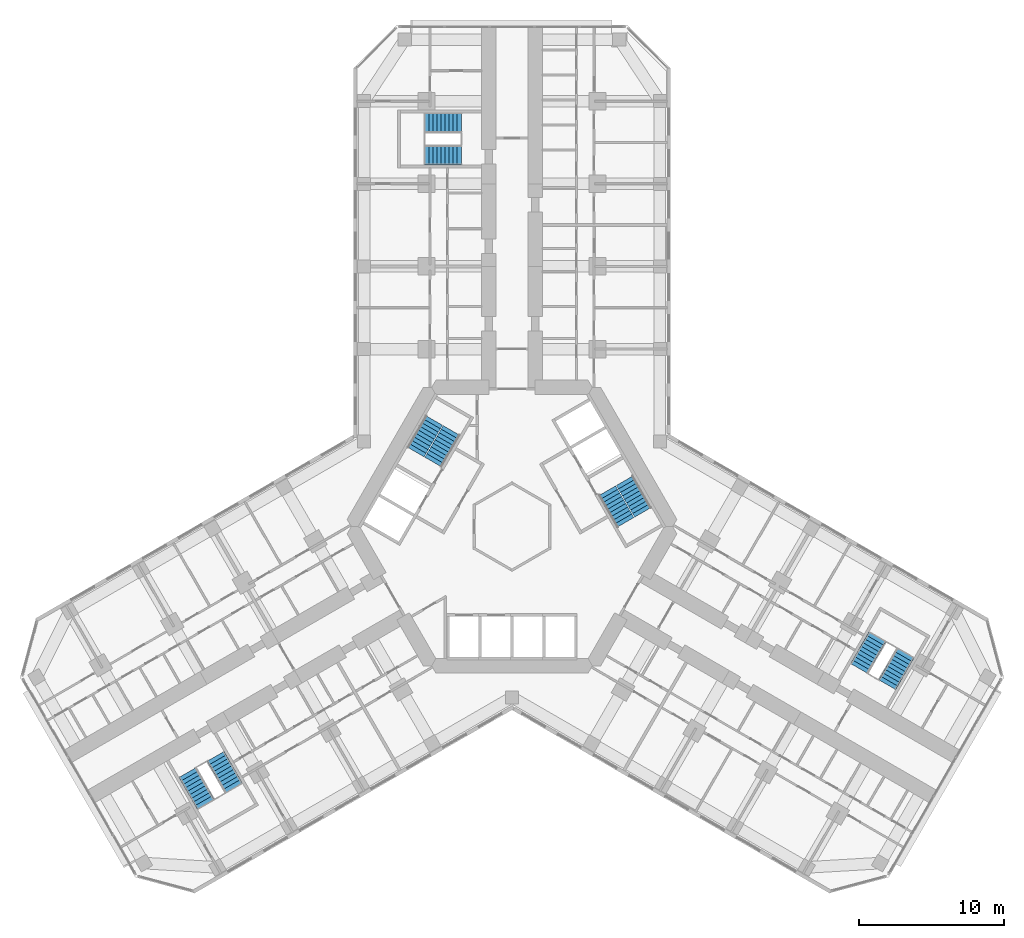
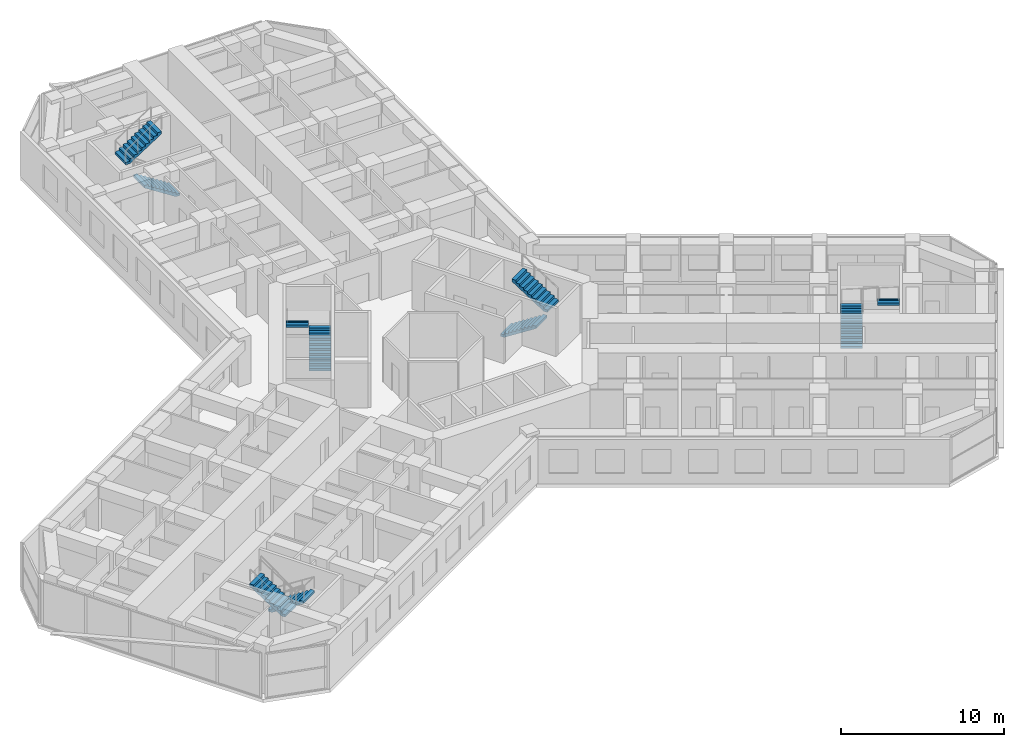
# One storey, part 20 of 21: 10 stair flights, 5 elements without a shape of their own.
"""IFC4 building model written with IfcOpenShell, lengths in metres."""

from ifc_helpers import new_model, si_unit, direction, frame, origin, place, context, subcontext, project, spatial, polyline, outline, extrude, material, type_object, element, aggregate, save


model = new_model("IFC4")

# Units and contexts
model_context = context("Model", 3, precision=1e-05, world=origin(), true_north=direction((0.0, 1.0)))
body_context = subcontext(model_context, "Body", "Model", "MODEL_VIEW")
ifc_project = project(units=[si_unit("LENGTHUNIT", "METRE"), si_unit("AREAUNIT", "SQUARE_METRE"), si_unit("VOLUMEUNIT", "CUBIC_METRE"), si_unit("PLANEANGLEUNIT", "RADIAN"), si_unit("MASSUNIT", "GRAM", prefix="KILO")], contexts=[model_context])

# Site, building, storey
site_placement = place(None, origin())
site = spatial("IfcSite", under=ifc_project, at=site_placement, CompositionType="ELEMENT")
building_placement = place(site_placement, origin())
building = spatial("IfcBuilding", under=site, at=building_placement, Name="Kosmar Iwan School Tower", CompositionType="ELEMENT")
storey_placement = place(building_placement, frame((0.0, 0.0, 84.39990234375)))
storey = spatial("IfcBuildingStorey", under=building, at=storey_placement, Name="L20", CompositionType="ELEMENT", Elevation=84.39990234375)

# Stair, stair flights
ifc_material_1 = material(Name="Concrete C35/45", Category="concrete")
stair_type_1 = type_object("IfcStairType", Name="Escape stair 3600", PredefinedType="HALF_TURN_STAIR", material=ifc_material_1)
stair_1_placement = place(storey_placement, origin())
stair_1 = element("IfcStair", 1, at=stair_1_placement, inside=storey, type_object=stair_type_1, Name="Stair WS1 L20", PredefinedType="HALF_TURN_STAIR")
ifc_material_2 = material(Name="Concrete C35/45", Category="concrete")
stair_flight_type_1 = type_object("IfcStairFlightType", Name="Escape stair flight 1350", PredefinedType="STRAIGHT", material=ifc_material_2)
stair_flight_1_placement = place(storey_placement, frame((-3.5, 25.625, 0.0), z_axis=(0.0, 0.0, 1.0), x_axis=(-1.0, 0.0, 0.0)))
stair_flight_1 = element("IfcStairFlight", 2, at=stair_flight_1_placement, type_object=stair_flight_type_1, Name="WS1 flight 1", NumberOfRisers=10, NumberOfTreads=9, PredefinedType="STRAIGHT", RiserHeight=0.18, TreadLength=0.28, context=body_context, shape_type="SweptSolid", body=[
    extrude(outline(polyline([(0.0, 0.0), (0.0, 0.179931640625), (0.280029296875, 0.179931640625), (0.280029296875, 0.360107421875), (0.56005859375, 0.360107421875), (0.56005859375, 0.5400390625), (0.840087890625, 0.5400390625), (0.840087890625, 0.719970703125), (1.1201171875, 0.719970703125), (1.1201171875, 0.89990234375), (1.39990234375, 0.89990234375), (1.39990234375, 1.080078125), (1.679931640625, 1.080078125), (1.679931640625, 1.260009765625), (1.9599609375, 1.260009765625), (1.9599609375, 1.43994140625), (2.239990234375, 1.43994140625), (2.239990234375, 1.6201171875), (2.52001953125, 1.6201171875), (2.52001953125, 1.800048828125), (2.52001953125, 1.44189453125), (0.277099609375, 0.0), (0.0, 0.0)])), frame((0.0, 0.675048828125, 0.0), z_axis=(0.0, -1.0, 0.0), x_axis=(1.0, 0.0, 0.0)), (0.0, 0.0, 1.0), 1.35009765625),
])
stair_flight_2_placement = place(storey_placement, frame((-6.02001953125, 27.875, 1.800048828125), z_axis=(0.0, 0.0, 1.0), x_axis=(1.0, 0.0, 0.0)))
stair_flight_2 = element("IfcStairFlight", 3, at=stair_flight_2_placement, type_object=stair_flight_type_1, Name="WS1 flight 2", NumberOfRisers=10, NumberOfTreads=9, PredefinedType="STRAIGHT", RiserHeight=0.18, TreadLength=0.28, context=body_context, shape_type="SweptSolid", body=[
    extrude(outline(polyline([(0.0, 0.0), (0.0, 0.179931640625), (0.280029296875, 0.179931640625), (0.280029296875, 0.360107421875), (0.56005859375, 0.360107421875), (0.56005859375, 0.5400390625), (0.840087890625, 0.5400390625), (0.840087890625, 0.719970703125), (1.1201171875, 0.719970703125), (1.1201171875, 0.89990234375), (1.39990234375, 0.89990234375), (1.39990234375, 1.080078125), (1.679931640625, 1.080078125), (1.679931640625, 1.260009765625), (1.9599609375, 1.260009765625), (1.9599609375, 1.43994140625), (2.239990234375, 1.43994140625), (2.239990234375, 1.6201171875), (2.52001953125, 1.6201171875), (2.52001953125, 1.800048828125), (2.52001953125, 1.44189453125), (0.277099609375, 0.0), (0.0, 0.0)])), frame((0.0, 0.675048828125, 0.0), z_axis=(0.0, -1.0, 0.0), x_axis=(1.0, 0.0, 0.0)), (0.0, 0.0, 1.0), 1.35009765625),
])
aggregate(stair_1, [stair_flight_1, stair_flight_2])

stair_2_placement = place(storey_placement, origin())
stair_2 = element("IfcStair", 4, at=stair_2_placement, inside=storey, type_object=stair_type_1, Name="Stair WS2 L20", PredefinedType="HALF_TURN_STAIR")
stair_flight_3_placement = place(storey_placement, frame((-20.44189453125, -15.843505859375, 0.0), z_axis=(0.0, 0.0, 1.0), x_axis=(0.5, -0.866025403784, 0.0)))
stair_flight_3 = element("IfcStairFlight", 5, at=stair_flight_3_placement, type_object=stair_flight_type_1, Name="WS2 flight 1", NumberOfRisers=10, NumberOfTreads=9, PredefinedType="STRAIGHT", RiserHeight=0.18, TreadLength=0.28, context=body_context, shape_type="SweptSolid", body=[
    extrude(outline(polyline([(0.0, 0.0), (0.0, 0.179931640625), (0.280029296875, 0.179931640625), (0.280029296875, 0.360107421875), (0.56005859375, 0.360107421875), (0.56005859375, 0.5400390625), (0.840087890625, 0.5400390625), (0.840087890625, 0.719970703125), (1.1201171875, 0.719970703125), (1.1201171875, 0.89990234375), (1.39990234375, 0.89990234375), (1.39990234375, 1.080078125), (1.679931640625, 1.080078125), (1.679931640625, 1.260009765625), (1.9599609375, 1.260009765625), (1.9599609375, 1.43994140625), (2.239990234375, 1.43994140625), (2.239990234375, 1.6201171875), (2.52001953125, 1.6201171875), (2.52001953125, 1.800048828125), (2.52001953125, 1.44189453125), (0.277099609375, 0.0), (0.0, 0.0)])), frame((0.0, 0.675048828125, 0.0), z_axis=(0.0, -1.0, 0.0), x_axis=(1.0, 0.0, 0.0)), (0.0, 0.0, 1.0), 1.35009765625),
])
stair_flight_4_placement = place(storey_placement, frame((-21.13037109375, -19.15087890625, 1.800048828125), z_axis=(0.0, 0.0, 1.0), x_axis=(-0.5, 0.866025403784, 0.0)))
stair_flight_4 = element("IfcStairFlight", 6, at=stair_flight_4_placement, type_object=stair_flight_type_1, Name="WS2 flight 2", NumberOfRisers=10, NumberOfTreads=9, PredefinedType="STRAIGHT", RiserHeight=0.18, TreadLength=0.28, context=body_context, shape_type="SweptSolid", body=[
    extrude(outline(polyline([(0.0, 0.0), (0.0, 0.179931640625), (0.280029296875, 0.179931640625), (0.280029296875, 0.360107421875), (0.56005859375, 0.360107421875), (0.56005859375, 0.5400390625), (0.840087890625, 0.5400390625), (0.840087890625, 0.719970703125), (1.1201171875, 0.719970703125), (1.1201171875, 0.89990234375), (1.39990234375, 0.89990234375), (1.39990234375, 1.080078125), (1.679931640625, 1.080078125), (1.679931640625, 1.260009765625), (1.9599609375, 1.260009765625), (1.9599609375, 1.43994140625), (2.239990234375, 1.43994140625), (2.239990234375, 1.6201171875), (2.52001953125, 1.6201171875), (2.52001953125, 1.800048828125), (2.52001953125, 1.44189453125), (0.277099609375, 0.0), (0.0, 0.0)])), frame((0.0, 0.675048828125, 0.0), z_axis=(0.0, -1.0, 0.0), x_axis=(1.0, 0.0, 0.0)), (0.0, 0.0, 1.0), 1.35009765625),
])
aggregate(stair_2, [stair_flight_3, stair_flight_4])

stair_3_placement = place(storey_placement, origin())
stair_3 = element("IfcStair", 7, at=stair_3_placement, inside=storey, type_object=stair_type_1, Name="Stair WS3 L20", PredefinedType="HALF_TURN_STAIR")
stair_flight_5_placement = place(storey_placement, frame((23.94189453125, -9.781494140625, 0.0), z_axis=(0.0, 0.0, 1.0), x_axis=(0.5, 0.866025403784, 0.0)))
stair_flight_5 = element("IfcStairFlight", 8, at=stair_flight_5_placement, type_object=stair_flight_type_1, Name="WS3 flight 1", NumberOfRisers=10, NumberOfTreads=9, PredefinedType="STRAIGHT", RiserHeight=0.18, TreadLength=0.28, context=body_context, shape_type="SweptSolid", body=[
    extrude(outline(polyline([(0.0, 0.0), (0.0, 0.179931640625), (0.280029296875, 0.179931640625), (0.280029296875, 0.360107421875), (0.56005859375, 0.360107421875), (0.56005859375, 0.5400390625), (0.840087890625, 0.5400390625), (0.840087890625, 0.719970703125), (1.1201171875, 0.719970703125), (1.1201171875, 0.89990234375), (1.39990234375, 0.89990234375), (1.39990234375, 1.080078125), (1.679931640625, 1.080078125), (1.679931640625, 1.260009765625), (1.9599609375, 1.260009765625), (1.9599609375, 1.43994140625), (2.239990234375, 1.43994140625), (2.239990234375, 1.6201171875), (2.52001953125, 1.6201171875), (2.52001953125, 1.800048828125), (2.52001953125, 1.44189453125), (0.277099609375, 0.0), (0.0, 0.0)])), frame((0.0, 0.675048828125, 0.0), z_axis=(0.0, -1.0, 0.0), x_axis=(1.0, 0.0, 0.0)), (0.0, 0.0, 1.0), 1.35009765625),
])
stair_flight_6_placement = place(storey_placement, frame((27.150390625, -8.72412109375, 1.800048828125), z_axis=(0.0, 0.0, 1.0), x_axis=(-0.5, -0.866025403784, 0.0)))
stair_flight_6 = element("IfcStairFlight", 9, at=stair_flight_6_placement, type_object=stair_flight_type_1, Name="WS3 flight 2", NumberOfRisers=10, NumberOfTreads=9, PredefinedType="STRAIGHT", RiserHeight=0.18, TreadLength=0.28, context=body_context, shape_type="SweptSolid", body=[
    extrude(outline(polyline([(0.0, 0.0), (0.0, 0.179931640625), (0.280029296875, 0.179931640625), (0.280029296875, 0.360107421875), (0.56005859375, 0.360107421875), (0.56005859375, 0.5400390625), (0.840087890625, 0.5400390625), (0.840087890625, 0.719970703125), (1.1201171875, 0.719970703125), (1.1201171875, 0.89990234375), (1.39990234375, 0.89990234375), (1.39990234375, 1.080078125), (1.679931640625, 1.080078125), (1.679931640625, 1.260009765625), (1.9599609375, 1.260009765625), (1.9599609375, 1.43994140625), (2.239990234375, 1.43994140625), (2.239990234375, 1.6201171875), (2.52001953125, 1.6201171875), (2.52001953125, 1.800048828125), (2.52001953125, 1.44189453125), (0.277099609375, 0.0), (0.0, 0.0)])), frame((0.0, 0.675048828125, 0.0), z_axis=(0.0, -1.0, 0.0), x_axis=(1.0, 0.0, 0.0)), (0.0, 0.0, 1.0), 1.35009765625),
])
aggregate(stair_3, [stair_flight_5, stair_flight_6])

ifc_material_3 = material(Name="Concrete C35/45", Category="concrete")
stair_type_2 = type_object("IfcStairType", Name="Core stair 2750", PredefinedType="HALF_TURN_STAIR", material=ifc_material_3)
stair_4_placement = place(storey_placement, origin())
stair_4 = element("IfcStair", 10, at=stair_4_placement, inside=storey, type_object=stair_type_2, Name="Stair ST2 L20", PredefinedType="HALF_TURN_STAIR")
ifc_material_4 = material(Name="Concrete C35/45", Category="concrete")
stair_flight_type_2 = type_object("IfcStairFlightType", Name="Stair flight 1350", PredefinedType="STRAIGHT", material=ifc_material_4)
stair_flight_7_placement = place(storey_placement, frame((-5.42724609375, 4.44970703125, 0.0), z_axis=(0.0, 0.0, 1.0), x_axis=(0.5, 0.866025403784, 0.0)))
stair_flight_7 = element("IfcStairFlight", 11, at=stair_flight_7_placement, type_object=stair_flight_type_2, Name="ST2 flight 1", NumberOfRisers=10, NumberOfTreads=9, PredefinedType="STRAIGHT", RiserHeight=0.18, TreadLength=0.28, context=body_context, shape_type="SweptSolid", body=[
    extrude(outline(polyline([(0.0, 0.0), (0.0, 0.179931640625), (0.280029296875, 0.179931640625), (0.280029296875, 0.360107421875), (0.56005859375, 0.360107421875), (0.56005859375, 0.5400390625), (0.840087890625, 0.5400390625), (0.840087890625, 0.719970703125), (1.1201171875, 0.719970703125), (1.1201171875, 0.89990234375), (1.39990234375, 0.89990234375), (1.39990234375, 1.080078125), (1.679931640625, 1.080078125), (1.679931640625, 1.260009765625), (1.9599609375, 1.260009765625), (1.9599609375, 1.43994140625), (2.239990234375, 1.43994140625), (2.239990234375, 1.6201171875), (2.52001953125, 1.6201171875), (2.52001953125, 1.800048828125), (2.52001953125, 1.44189453125), (0.277099609375, 0.0), (0.0, 0.0)])), frame((0.0, 0.675048828125, 0.0), z_axis=(0.0, -1.0, 0.0), x_axis=(1.0, 0.0, 0.0)), (0.0, 0.0, 1.0), 1.35009765625),
])
stair_flight_8_placement = place(storey_placement, frame((-5.379638671875, 7.33203125, 1.800048828125), z_axis=(0.0, 0.0, 1.0), x_axis=(-0.5, -0.866025403784, 0.0)))
stair_flight_8 = element("IfcStairFlight", 12, at=stair_flight_8_placement, type_object=stair_flight_type_2, Name="ST2 flight 2", NumberOfRisers=10, NumberOfTreads=9, PredefinedType="STRAIGHT", RiserHeight=0.18, TreadLength=0.28, context=body_context, shape_type="SweptSolid", body=[
    extrude(outline(polyline([(0.0, 0.0), (0.0, 0.179931640625), (0.280029296875, 0.179931640625), (0.280029296875, 0.360107421875), (0.56005859375, 0.360107421875), (0.56005859375, 0.5400390625), (0.840087890625, 0.5400390625), (0.840087890625, 0.719970703125), (1.1201171875, 0.719970703125), (1.1201171875, 0.89990234375), (1.39990234375, 0.89990234375), (1.39990234375, 1.080078125), (1.679931640625, 1.080078125), (1.679931640625, 1.260009765625), (1.9599609375, 1.260009765625), (1.9599609375, 1.43994140625), (2.239990234375, 1.43994140625), (2.239990234375, 1.6201171875), (2.52001953125, 1.6201171875), (2.52001953125, 1.800048828125), (2.52001953125, 1.44189453125), (0.277099609375, 0.0), (0.0, 0.0)])), frame((0.0, 0.675048828125, 0.0), z_axis=(0.0, -1.0, 0.0), x_axis=(1.0, 0.0, 0.0)), (0.0, 0.0, 1.0), 1.35009765625),
])
aggregate(stair_4, [stair_flight_7, stair_flight_8])

stair_5_placement = place(storey_placement, origin())
stair_5 = element("IfcStair", 13, at=stair_5_placement, inside=storey, type_object=stair_type_2, Name="Stair ST1 L20", PredefinedType="HALF_TURN_STAIR")
stair_flight_9_placement = place(storey_placement, frame((6.567138671875, 2.475341796875, 0.0), z_axis=(0.0, 0.0, 1.0), x_axis=(0.5, -0.866025403784, 0.0)))
stair_flight_9 = element("IfcStairFlight", 14, at=stair_flight_9_placement, type_object=stair_flight_type_2, Name="ST1 flight 1", NumberOfRisers=10, NumberOfTreads=9, PredefinedType="STRAIGHT", RiserHeight=0.18, TreadLength=0.28, context=body_context, shape_type="SweptSolid", body=[
    extrude(outline(polyline([(0.0, 0.0), (0.0, 0.179931640625), (0.280029296875, 0.179931640625), (0.280029296875, 0.360107421875), (0.56005859375, 0.360107421875), (0.56005859375, 0.5400390625), (0.840087890625, 0.5400390625), (0.840087890625, 0.719970703125), (1.1201171875, 0.719970703125), (1.1201171875, 0.89990234375), (1.39990234375, 0.89990234375), (1.39990234375, 1.080078125), (1.679931640625, 1.080078125), (1.679931640625, 1.260009765625), (1.9599609375, 1.260009765625), (1.9599609375, 1.43994140625), (2.239990234375, 1.43994140625), (2.239990234375, 1.6201171875), (2.52001953125, 1.6201171875), (2.52001953125, 1.800048828125), (2.52001953125, 1.44189453125), (0.277099609375, 0.0), (0.0, 0.0)])), frame((0.0, 0.675048828125, 0.0), z_axis=(0.0, -1.0, 0.0), x_axis=(1.0, 0.0, 0.0)), (0.0, 0.0, 1.0), 1.35009765625),
])
stair_flight_10_placement = place(storey_placement, frame((9.03955078125, 0.992919921875, 1.800048828125), z_axis=(0.0, 0.0, 1.0), x_axis=(-0.5, 0.866025403784, 0.0)))
stair_flight_10 = element("IfcStairFlight", 15, at=stair_flight_10_placement, type_object=stair_flight_type_2, Name="ST1 flight 2", NumberOfRisers=10, NumberOfTreads=9, PredefinedType="STRAIGHT", RiserHeight=0.18, TreadLength=0.28, context=body_context, shape_type="SweptSolid", body=[
    extrude(outline(polyline([(0.0, 0.0), (0.0, 0.179931640625), (0.280029296875, 0.179931640625), (0.280029296875, 0.360107421875), (0.56005859375, 0.360107421875), (0.56005859375, 0.5400390625), (0.840087890625, 0.5400390625), (0.840087890625, 0.719970703125), (1.1201171875, 0.719970703125), (1.1201171875, 0.89990234375), (1.39990234375, 0.89990234375), (1.39990234375, 1.080078125), (1.679931640625, 1.080078125), (1.679931640625, 1.260009765625), (1.9599609375, 1.260009765625), (1.9599609375, 1.43994140625), (2.239990234375, 1.43994140625), (2.239990234375, 1.6201171875), (2.52001953125, 1.6201171875), (2.52001953125, 1.800048828125), (2.52001953125, 1.44189453125), (0.277099609375, 0.0), (0.0, 0.0)])), frame((0.0, 0.675048828125, 0.0), z_axis=(0.0, -1.0, 0.0), x_axis=(1.0, 0.0, 0.0)), (0.0, 0.0, 1.0), 1.35009765625),
])
aggregate(stair_5, [stair_flight_9, stair_flight_10])

save(model, "model.ifc")
